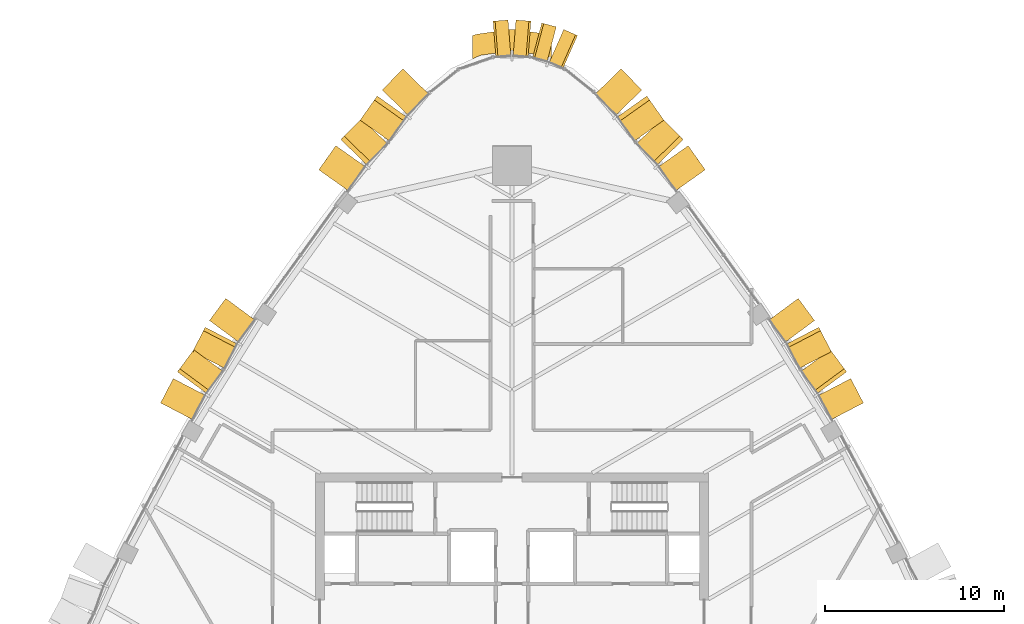
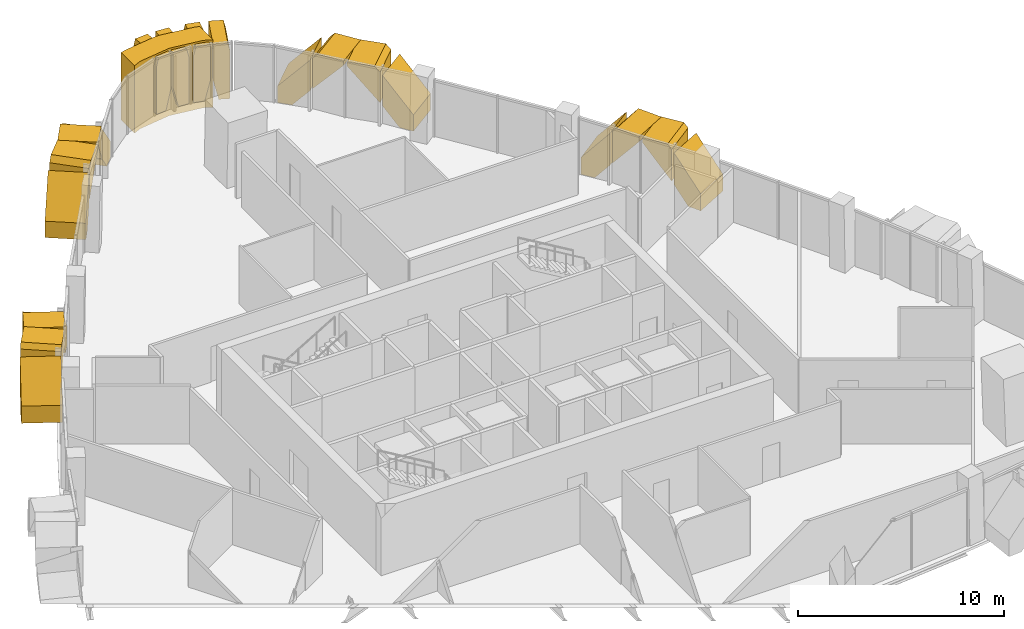
# One storey, part 17 of 18: 21 coverings.
"""IFC4 building model written with IfcOpenShell, lengths in metres."""

from ifc_helpers import new_model, si_unit, direction, frame, origin, place, context, subcontext, project, spatial, polyline, outline, extrude, material, layer, layer_set, type_object, element, save


model = new_model("IFC4")

# Units and contexts
model_context = context("Model", 3, precision=1e-05, world=origin(), true_north=direction((0.0, 1.0)))
body_context = subcontext(model_context, "Body", "Model", "MODEL_VIEW")
ifc_project = project(units=[si_unit("LENGTHUNIT", "METRE"), si_unit("AREAUNIT", "SQUARE_METRE"), si_unit("VOLUMEUNIT", "CUBIC_METRE"), si_unit("PLANEANGLEUNIT", "RADIAN"), si_unit("MASSUNIT", "GRAM", prefix="KILO")], contexts=[model_context])

# Site, building, storey
site_placement = place(None, origin())
site = spatial("IfcSite", under=ifc_project, at=site_placement, CompositionType="ELEMENT")
building_placement = place(site_placement, origin())
building = spatial("IfcBuilding", under=site, at=building_placement, Name="Sierra Prisma Convention Tower", CompositionType="ELEMENT")
storey_placement = place(building_placement, frame((0.0, 0.0, 247.0)))
storey = spatial("IfcBuildingStorey", under=building, at=storey_placement, Name="L55", CompositionType="ELEMENT", Elevation=247.0)

# Coverings
ifc_material_1 = material(Name="Aluminium composite bronze anodised", Category="aluminium")
ifc_layer_1 = layer(ifc_material_1, 1.199951171875)
ifc_layer_set_1 = layer_set([ifc_layer_1], Name="Bronze corner pier")
covering_type_1 = type_object("IfcCoveringType", Name="Bronze corner pier", PredefinedType="CLADDING", material=ifc_layer_set_1)
covering_1_placement = place(storey_placement, frame((0.0, 0.0, -0.60009765625)))
element("IfcCovering", 1, at=covering_1_placement, inside=storey, type_object=covering_type_1, Name="Corner pier N L55.1", PredefinedType="CLADDING", context=body_context, shape_type="SweptSolid", body=[
    extrude(outline(polyline([(-1.941162109375, 32.5634765625), (-0.16796875, 32.81396484375), (0.16796875, 32.81396484375), (1.941162109375, 32.5634765625), (2.199951171875, 32.48876953125), (2.199951171875, 31.18408203125), (1.773193359375, 31.375244140625), (0.0, 31.625732421875), (-1.773193359375, 31.375244140625), (-2.199951171875, 31.18408203125), (-2.199951171875, 32.48876953125), (-1.941162109375, 32.5634765625)])), origin(), (0.0, 0.0, 1.0), 4.0),
])
ifc_material_2 = material(Name="Aluminium 6063-T6 bronze anodised", Category="aluminium")
ifc_layer_2 = layer(ifc_material_2, 2.0)
ifc_layer_set_2 = layer_set([ifc_layer_2], Name="Bronze crystal chevron frame")
covering_type_2 = type_object("IfcCoveringType", Name="Bronze crystal chevron frame", PredefinedType="CLADDING", material=ifc_layer_set_2)
covering_2_placement = place(storey_placement, frame((19.6669921875, 11.921630859375, 0.0), z_axis=(0.88737049644, 0.461057048196, 1.88923e-05), x_axis=(-0.461057048278, 0.887370496598, -1.431e-09)))
element("IfcCovering", 2, at=covering_2_placement, inside=storey, type_object=covering_type_2, Name="CW-2 chevron frame NE4.1.1", PredefinedType="CLADDING", context=body_context, shape_type="SweptSolid", body=[
    extrude(outline(polyline([(0.0, 0.0), (0.7202572133184875, 0.0), (1.537701017559661, 0.983154299251058), (1.537701014873203, 2.860351564541054), (-1.4464736862525178e-09, 1.0107421873196234), (0.0, 0.0)])), origin(), (0.0, 0.0, -1.0), 2.0),
])
covering_3_placement = place(storey_placement, frame((18.723388671875, 13.662353515625, 3.016845703125), z_axis=(0.804230487899, 0.594317526328, 1.525543e-05), x_axis=(1.2268882e-05, 9.066569e-06, -0.999999999884)))
element("IfcCovering", 3, at=covering_3_placement, inside=storey, type_object=covering_type_2, Name="CW-2 chevron frame NE4.1.2", PredefinedType="CLADDING", context=body_context, shape_type="SweptSolid", body=[
    extrude(outline(polyline([(0.0, 0.0), (1.8771972654065618, 0.0), (0.027587890560539535, 1.5375873835420353), (-0.2631835937806251, 1.5375873835420353), (-0.2631835942851724, 0.2189017147003188), (0.0, 0.0)])), origin(), (0.0, 0.0, -1.0), 2.0),
])
covering_4_placement = place(storey_placement, frame((17.875244140625, 14.793701171875, 3.280029296875), z_axis=(0.887337240754, 0.461121041861, -7.696218e-05), x_axis=(-6.8291409e-05, -3.5488881e-05, -0.999999997038)))
element("IfcCovering", 4, at=covering_4_placement, inside=storey, type_object=covering_type_2, Name="CW-2 chevron frame NE4.2.1", PredefinedType="CLADDING", context=body_context, shape_type="SweptSolid", body=[
    extrude(outline(polyline([(0.0, 0.0), (0.2907714835138545, 1.970344219101312e-21), (2.1403808545949556, 1.5374843812381165), (0.26318359452944157, 1.5374843812381165), (-1.2841263142900788e-08, 1.3186520520425888), (0.0, 0.0)])), origin(), (0.0, 0.0, -1.0), 2.0),
])
covering_5_placement = place(storey_placement, frame((16.017822265625, 17.77099609375, 0.0), z_axis=(0.80429134658, 0.594235163499, -1.6680398e-05), x_axis=(1.34159e-05, 9.912079e-06, 0.999999999861)))
element("IfcCovering", 5, at=covering_5_placement, inside=storey, type_object=covering_type_2, Name="CW-2 chevron frame NE4.2.2", PredefinedType="CLADDING", context=body_context, shape_type="SweptSolid", body=[
    extrude(outline(polyline([(0.0, 0.0), (1.0107421873593878, 0.0), (2.860351562375623, 1.5377837352602741), (0.9831542970117744, 1.5377837352602741), (-8.035277942346737e-10, 0.7202826190082885), (0.0, 0.0)])), origin(), (0.0, 0.0, -1.0), 2.0),
])
covering_6_placement = place(storey_placement, frame((10.814453125, 24.9677734375, 0.0), z_axis=(0.816298556593, 0.577630213674, 5.2487411e-05), x_axis=(-0.57763021447, 0.816298557718, -1.0297e-08)))
element("IfcCovering", 6, at=covering_6_placement, inside=storey, type_object=covering_type_2, Name="CW-2 chevron frame NE6.1.1", PredefinedType="CLADDING", context=body_context, shape_type="SweptSolid", body=[
    extrude(outline(polyline([(0.0, 0.0), (0.7428178477035058, 0.0), (1.6533661579303782, 1.0239257996849034), (1.6533661393351917, 2.8298340003223292), (-9.992681695272431e-09, 0.9704589830382274), (0.0, 0.0)])), origin(), (0.0, 0.0, -1.0), 2.0),
])
covering_7_placement = place(storey_placement, frame((9.57568359375, 26.658203125, 2.97607421875), z_axis=(0.715776344201, 0.698329589629, 9.6592411e-05), x_axis=(6.9138563e-05, 6.7453339e-05, -0.999999995335)))
element("IfcCovering", 7, at=covering_7_placement, inside=storey, type_object=covering_type_2, Name="CW-2 chevron frame NE6.1.2", PredefinedType="CLADDING", context=body_context, shape_type="SweptSolid", body=[
    extrude(outline(polyline([(0.0, 0.0), (1.8059081947003535, 2.4474619964218983e-20), (-0.05346679946150429, 1.6536090593826598), (-0.3039550795429647, 1.6536090593826598), (-0.30395509872933685, 0.27036180960608774), (0.0, 0.0)])), origin(), (0.0, 0.0, -1.0), 2.0),
])
covering_8_placement = place(storey_placement, frame((8.50048828125, 27.746337890625, 3.280029296875), z_axis=(0.81621109495, 0.577753795662, -8.861139e-06), x_axis=(-7.23256e-06, -5.119557e-06, -0.999999999961)))
element("IfcCovering", 8, at=covering_8_placement, inside=storey, type_object=covering_type_2, Name="CW-2 chevron frame NE6.2.1", PredefinedType="CLADDING", context=body_context, shape_type="SweptSolid", body=[
    extrude(outline(polyline([(0.0, 0.0), (0.25048828124016587, 0.0), (2.109863281191034, 1.6535072108338444), (0.30395507813693323, 1.6535072108338444), (-1.6146779858911854e-10, 1.383092840935883), (0.0, 0.0)])), origin(), (0.0, 0.0, -1.0), 2.0),
])
covering_9_placement = place(storey_placement, frame((6.10693359375, 30.620361328125, 0.0), z_axis=(0.715826970802, 0.698277700668, 2.4927972e-05), x_axis=(-1.7844115e-05, -1.7406647e-05, 0.999999999689)))
element("IfcCovering", 9, at=covering_9_placement, inside=storey, type_object=covering_type_2, Name="CW-2 chevron frame NE6.2.2", PredefinedType="CLADDING", context=body_context, shape_type="SweptSolid", body=[
    extrude(outline(polyline([(0.0, 0.0), (0.9704589840734765, -1.6440214674491425e-21), (2.8298339841320366, 1.653438574954623), (1.0239257815681355, 1.653438574954623), (-1.7252451120246726e-09, 0.7428982561701593), (0.0, 0.0)])), origin(), (0.0, 0.0, -1.0), 2.0),
])
covering_10_placement = place(storey_placement, frame((3.663330078125, 32.484375, 0.0), z_axis=(0.403628698361, 0.914922878548, 1.2978457e-05), x_axis=(-0.914922878625, 0.403628698395, 7.55e-10)))
element("IfcCovering", 10, at=covering_10_placement, inside=storey, type_object=covering_type_2, Name="CW-2 chevron frame N2.1.1", PredefinedType="CLADDING", context=body_context, shape_type="SweptSolid", body=[
    extrude(outline(polyline([(0.0, 0.0), (0.5571535648904706, -4.235164736271502e-22), (0.8389527682343759, 1.1694335930517026), (0.8389527698277992, 3.280029295998948), (0.11335957035120721, 3.2800292979441577), (2.1213080753570548e-09, 2.8098144528883573), (0.0, 0.0)])), origin(), (0.0, 0.0, -1.0), 2.0),
])
covering_11_placement = place(storey_placement, frame((2.47705078125, 32.969482421875, 3.280029296875), z_axis=(0.255522617557, 0.966803078046, -1.4038206e-05), x_axis=(-3.587079e-06, -1.3572181e-05, -0.999999999901)))
element("IfcCovering", 11, at=covering_11_placement, inside=storey, type_object=covering_type_2, Name="CW-2 chevron frame N2.1.2", PredefinedType="CLADDING", context=body_context, shape_type="SweptSolid", body=[
    extrude(outline(polyline([(0.0, 0.0), (2.1105957029170312, 0.0), (3.2800292955263894, 0.2815831553502336), (3.2800292965279225, 0.8388839560115575), (0.4702148436797891, 0.8388839560115575), (-2.240968903686868e-09, 0.7255425861482159), (0.0, 0.0)])), origin(), (0.0, 0.0, -1.0), 2.0),
])
covering_12_placement = place(storey_placement, frame((1.05810546875, 33.287353515625, 0.0), z_axis=(0.078304868501, 0.996929459254, 2.8981999e-05), x_axis=(-0.996929459673, 0.078304868534, -3.896e-09)))
element("IfcCovering", 12, at=covering_12_placement, inside=storey, type_object=covering_type_2, Name="CW-2 chevron frame N3.1.1", PredefinedType="CLADDING", context=body_context, shape_type="SweptSolid", body=[
    extrude(outline(polyline([(0.0, 0.0), (0.5571364971249098, 0.0), (0.8390000780790435, 1.1694335972245409), (0.8390000698554155, 3.280029299463137), (0.11337823797565938, 3.280029298526753), (-1.0948031746333721e-08, 2.8098144519449395), (0.0, 0.0)])), origin(), (0.0, 0.0, -1.0), 2.0),
])
covering_13_placement = place(storey_placement, frame((-0.2216796875, 33.35302734375, 3.280029296875), z_axis=(-0.078304868501, 0.996929459254, 2.8981999e-05), x_axis=(-2.269432e-06, 2.8893009e-05, -0.99999999958)))
element("IfcCovering", 13, at=covering_13_placement, inside=storey, type_object=covering_type_2, Name="CW-2 chevron frame N3.1.2", PredefinedType="CLADDING", context=body_context, shape_type="SweptSolid", body=[
    extrude(outline(polyline([(0.0, 0.0), (2.110595702238596, 8.938720494401155e-22), (3.2800292983648967, 0.281863585510661), (3.280029296194096, 0.8390000826355709), (0.4702148442491561, 0.8390000826355709), (-1.890895970378563e-09, 0.7256218318797562), (0.0, 0.0)])), origin(), (0.0, 0.0, -1.0), 2.0),
])
covering_14_placement = place(storey_placement, frame((-6.10693359375, 30.620361328125, 0.0), z_axis=(-0.715826970802, 0.698277700668, 2.4927972e-05), x_axis=(-0.698277700885, -0.715826971025, -2.322e-09)))
element("IfcCovering", 14, at=covering_14_placement, inside=storey, type_object=covering_type_2, Name="CW-2 chevron frame NW1.1.1", PredefinedType="CLADDING", context=body_context, shape_type="SweptSolid", body=[
    extrude(outline(polyline([(0.0, 0.0), (0.7428982561701591, 0.0), (1.6534385725767429, 1.0239257854079438), (1.6534385683828519, 2.8298339879718446), (-2.2537132168330922e-09, 0.9704589840734765), (0.0, 0.0)])), origin(), (0.0, 0.0, -1.0), 2.0),
])
covering_15_placement = place(storey_placement, frame((-7.545166015625, 29.095947265625, 2.97607421875), z_axis=(-0.81621109495, 0.577753795662, -8.861139e-06), x_axis=(7.23256e-06, -5.119557e-06, -0.999999999961)))
element("IfcCovering", 15, at=covering_15_placement, inside=storey, type_object=covering_type_2, Name="CW-2 chevron frame NW1.1.2", PredefinedType="CLADDING", context=body_context, shape_type="SweptSolid", body=[
    extrude(outline(polyline([(0.0, 0.0), (1.8059082030541003, 0.0), (-0.053466796896767387, 1.6535072108338444), (-0.30395507813693323, 1.6535072108338444), (-0.30395507829840107, 0.2704143698979615), (0.0, 0.0)])), origin(), (0.0, 0.0, -1.0), 2.0),
])
covering_16_placement = place(storey_placement, frame((-8.4208984375, 27.841796875, 3.280029296875), z_axis=(-0.715776344201, 0.698329589629, 9.6592411e-05), x_axis=(-6.9138563e-05, 6.7453339e-05, -0.999999995335)))
element("IfcCovering", 16, at=covering_16_placement, inside=storey, type_object=covering_type_2, Name="CW-2 chevron frame NW1.2.1", PredefinedType="CLADDING", context=body_context, shape_type="SweptSolid", body=[
    extrude(outline(polyline([(0.0, 0.0), (0.2504882800814604, -3.3947492339176256e-21), (2.109863274243318, 1.6536090593826598), (0.3039550795429647, 1.6536090593826598), (-1.918637215014916e-08, 1.3832472497765722), (0.0, 0.0)])), origin(), (0.0, 0.0, -1.0), 2.0),
])
covering_17_placement = place(storey_placement, frame((-10.814453125, 24.9677734375, 0.0), z_axis=(-0.816298556593, 0.577630213674, 5.2487411e-05), x_axis=(4.2845398e-05, -3.0318314e-05, 0.999999998623)))
element("IfcCovering", 17, at=covering_17_placement, inside=storey, type_object=covering_type_2, Name="CW-2 chevron frame NW1.2.2", PredefinedType="CLADDING", context=body_context, shape_type="SweptSolid", body=[
    extrude(outline(polyline([(0.0, 0.0), (0.9704589830382275, -3.288042934898285e-21), (2.8298339832978474, 1.6533661684736), (1.023925782660421, 1.6533661684736), (-7.648692463465683e-09, 0.7428178477035058), (0.0, 0.0)])), origin(), (0.0, 0.0, -1.0), 2.0),
])
covering_18_placement = place(storey_placement, frame((-16.01806640625, 17.770751953125, 0.0), z_axis=(-0.804308441257, 0.594212025486, -9.505364e-06), x_axis=(-0.594212025512, -0.804308441294, -3.62e-10)))
element("IfcCovering", 18, at=covering_18_placement, inside=storey, type_object=covering_type_2, Name="CW-2 chevron frame NW3.1.1", PredefinedType="CLADDING", context=body_context, shape_type="SweptSolid", body=[
    extrude(outline(polyline([(0.0, 0.0), (0.7202826200960469, 8.470329472543003e-22), (1.5374422981351645, 0.9831542974763717), (1.5374422974551274, 2.8603515630165672), (-3.6615339158883707e-10, 1.0107421874543387), (0.0, 0.0)])), origin(), (0.0, 0.0, -1.0), 2.0),
])
covering_19_placement = place(storey_placement, frame((-17.16650390625, 16.157958984375, 3.016845703125), z_axis=(-0.887360674511, 0.461075948656, 5.3875935e-05), x_axis=(-4.7807386e-05, 2.4840898e-05, -0.999999998549)))
element("IfcCovering", 19, at=covering_19_placement, inside=storey, type_object=covering_type_2, Name="CW-2 chevron frame NW3.1.2", PredefinedType="CLADDING", context=body_context, shape_type="SweptSolid", body=[
    extrude(outline(polyline([(0.0, 0.0), (1.8771972629006082, 1.272038345984046e-20), (0.02758788982104047, 1.5377010190134586), (-0.26318359413196046, 1.5377010190134586), (-0.263183600424742, 0.21893639282398583), (0.0, 0.0)])), origin(), (0.0, 0.0, -1.0), 2.0),
])
covering_20_placement = place(storey_placement, frame((-17.8095703125, 14.89892578125, 3.280029296875), z_axis=(-0.804287438356, 0.594240452958, 2.3884119e-05), x_axis=(-1.9209697e-05, 1.419291e-05, -0.999999999715)))
element("IfcCovering", 20, at=covering_20_placement, inside=storey, type_object=covering_type_2, Name="CW-2 chevron frame NW3.2.1", PredefinedType="CLADDING", context=body_context, shape_type="SweptSolid", body=[
    extrude(outline(polyline([(0.0, 0.0), (0.29077148429206456, 0.0), (2.140380858914642, 1.5377837353348713), (0.26318359382506673, 1.5377837353348713), (-1.236720287202075e-09, 1.3188820251939333), (0.0, 0.0)])), origin(), (0.0, 0.0, -1.0), 2.0),
])
covering_21_placement = place(storey_placement, frame((-19.6669921875, 11.921630859375, 0.0), z_axis=(-0.887341382111, 0.461113077666, 3.4640093e-05), x_axis=(3.0737588e-05, -1.5973e-05, 0.9999999994)))
element("IfcCovering", 21, at=covering_21_placement, inside=storey, type_object=covering_type_2, Name="CW-2 chevron frame NW3.2.2", PredefinedType="CLADDING", context=body_context, shape_type="SweptSolid", body=[
    extrude(outline(polyline([(0.0, 0.0), (1.010742186893587, 0.0), (2.860351561963603, 1.5374843809943495), (0.9831542974648613, 1.5374843809943495), (-3.4653426084626317e-09, 0.7202572084376437), (0.0, 0.0)])), origin(), (0.0, 0.0, -1.0), 2.0),
])

save(model, "model.ifc")
